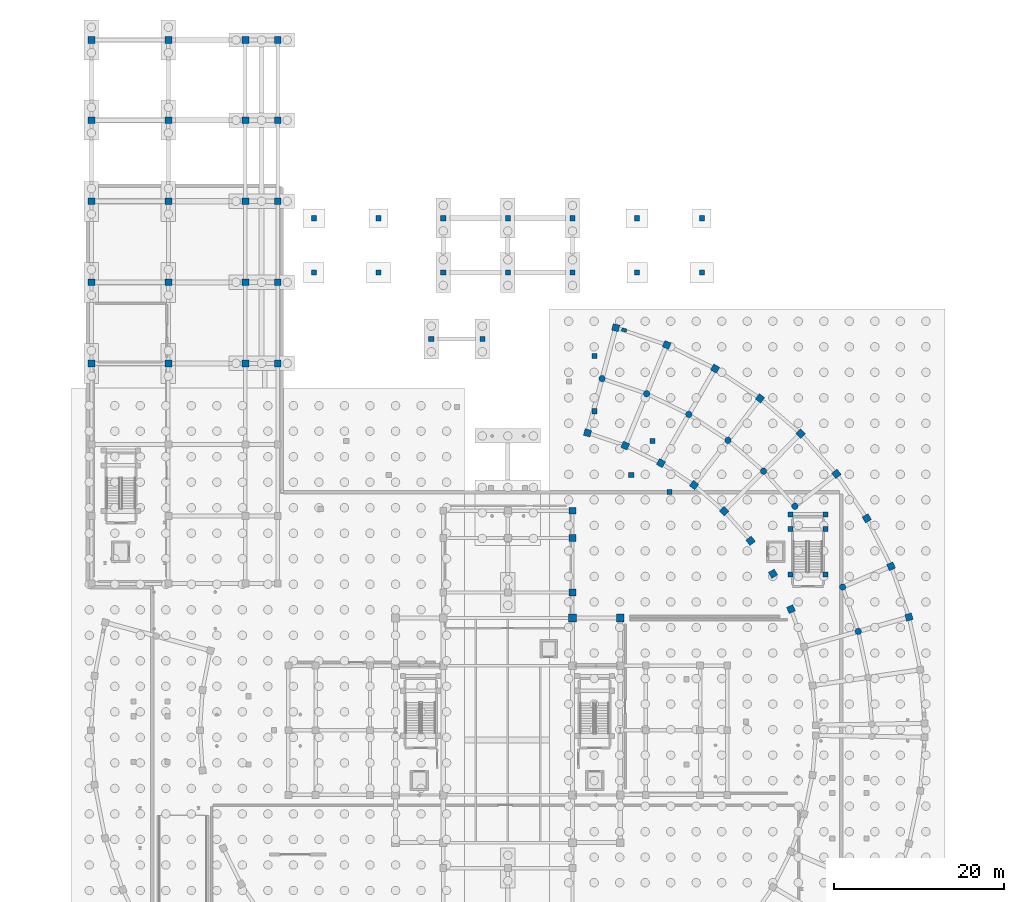
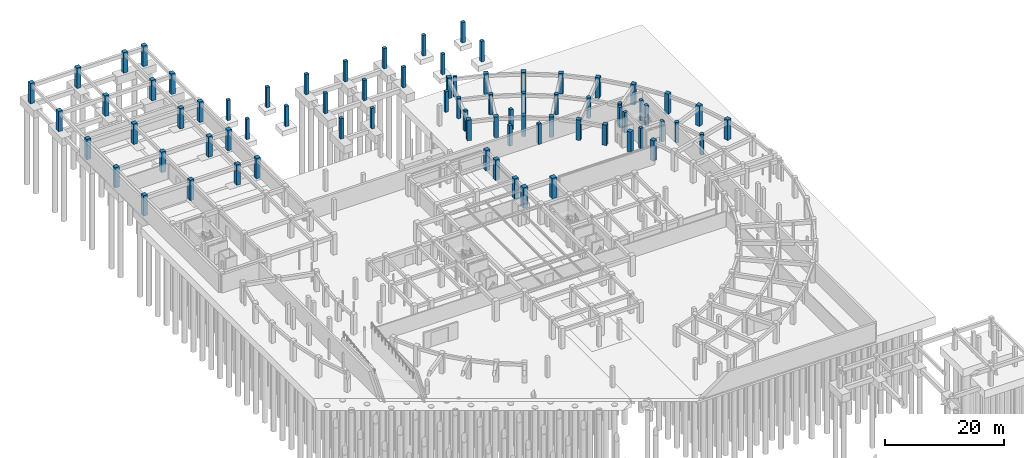
# One storey, part 17 of 33: 78 columns.
"""IFC4 building model written with IfcOpenShell, lengths in metres."""

from ifc_helpers import new_model, si_unit, direction, frame, origin, origin_2d, place, context, subcontext, project, spatial, rectangle, circle, extrude, material, material_profile, profile_set, type_object, element, save


model = new_model("IFC4")

# Units and contexts
model_context = context("Model", 3, precision=1e-05, world=origin(), true_north=direction((0.0, 1.0)))
body_context = subcontext(model_context, "Body", "Model", "MODEL_VIEW")
ifc_project = project(units=[si_unit("LENGTHUNIT", "METRE"), si_unit("AREAUNIT", "SQUARE_METRE"), si_unit("VOLUMEUNIT", "CUBIC_METRE"), si_unit("PLANEANGLEUNIT", "RADIAN"), si_unit("MASSUNIT", "GRAM", prefix="KILO")], contexts=[model_context])

# Site, building, storey
site_placement = place(None, origin())
site = spatial("IfcSite", under=ifc_project, at=site_placement, CompositionType="ELEMENT")
building_placement = place(site_placement, origin())
building = spatial("IfcBuilding", under=site, at=building_placement, Name="Saryqyr Civic Hall", CompositionType="ELEMENT")
storey_placement = place(building_placement, frame((0.0, 0.0, -4.199951171875)))
storey = spatial("IfcBuildingStorey", under=building, at=storey_placement, Name="B1", CompositionType="ELEMENT", Elevation=-4.199951171875)

# Columns
ifc_material = material(Name="Concrete C40/50", Category="concrete")
ifc_material_profile_1 = material_profile(ifc_material, rectangle(XDim=0.60009765625, YDim=0.60009765625, at=origin_2d()), Name="RC 600x600")
ifc_profile_set_1 = profile_set([ifc_material_profile_1], Name="Concrete C40/50")
column_type_1 = type_object("IfcColumnType", Name="STR-COL-RC600-C40", PredefinedType="COLUMN", material=ifc_profile_set_1)
for number, where, z_axis, x_axis, name in (
    (1, (34.199951171875, 137.800048828125, 0.0), (0.0, 0.0, 1.0), (1.0, 0.0, 0.0), "Column V6A-COL-11-B1"),
    (2, (34.199951171875, 144.199951171875, 0.0), (0.0, 0.0, 1.0), (1.0, 0.0, 0.0), "Column V6A-COL-21-B1"),
    (3, (41.800048828125, 137.800048828125, 0.0), (0.0, 0.0, 1.0), (1.0, 0.0, 0.0), "Column V6A-COL-12-B1"),
    (4, (41.800048828125, 144.199951171875, 0.0), (0.0, 0.0, 1.0), (1.0, 0.0, 0.0), "Column V6A-COL-22-B1"),
    (5, (49.39990234375, 137.800048828125, 0.0), (0.0, 0.0, 1.0), (1.0, 0.0, 0.0), "Column V6A-COL-13-B1"),
    (6, (49.39990234375, 144.199951171875, 0.0), (0.0, 0.0, 1.0), (1.0, 0.0, 0.0), "Column V6A-COL-23-B1"),
    (7, (57.0, 137.800048828125, 0.0), (0.0, 0.0, 1.0), (1.0, 0.0, 0.0), "Column V6A-COL-14-B1"),
    (8, (57.0, 144.199951171875, 0.0), (0.0, 0.0, 1.0), (1.0, 0.0, 0.0), "Column V6A-COL-24-B1"),
    (9, (64.60009765625, 137.800048828125, 0.0), (0.0, 0.0, 1.0), (1.0, 0.0, 0.0), "Column V6A-COL-15-B1"),
    (10, (64.60009765625, 144.199951171875, 0.0), (0.0, 0.0, 1.0), (1.0, 0.0, 0.0), "Column V6A-COL-25-B1"),
    (11, (72.199951171875, 137.800048828125, 0.0), (0.0, 0.0, 1.0), (1.0, 0.0, 0.0), "Column V6A-COL-16-B1"),
    (12, (72.199951171875, 144.199951171875, 0.0), (0.0, 0.0, 1.0), (1.0, 0.0, 0.0), "Column V6A-COL-26-B1"),
    (13, (79.800048828125, 137.800048828125, 0.0), (0.0, 0.0, 1.0), (1.0, 0.0, 0.0), "Column V6A-COL-17-B1"),
    (14, (79.800048828125, 144.199951171875, 0.0), (0.0, 0.0, 1.0), (1.0, 0.0, 0.0), "Column V6A-COL-27-B1"),
    (15, (94.340087890625, 102.3349609375, 0.0), (0.0, 0.0, 1.0), (1.0, 0.0, 0.0), "Column ST-6-SCOL-TRMA-B1"),
    (16, (90.219970703125, 102.3349609375, 0.0), (0.0, 0.0, 1.0), (1.0, 0.0, 0.0), "Column ST-6-SCOL-TRMB-B1"),
    (17, (94.340087890625, 107.64990234375, 0.0), (0.0, 0.0, 1.0), (1.0, 0.0, 0.0), "Column ST-6-SCOL-LND1A-B1"),
    (18, (90.219970703125, 107.64990234375, 0.0), (0.0, 0.0, 1.0), (1.0, 0.0, 0.0), "Column ST-6-SCOL-LND1B-B1"),
    (19, (94.340087890625, 109.3798828125, 0.0), (0.0, 0.0, 1.0), (1.0, 0.0, 0.0), "Column ST-6-SCOL-LND2A-B1"),
    (20, (90.219970703125, 109.3798828125, 0.0), (0.0, 0.0, 1.0), (1.0, 0.0, 0.0), "Column ST-6-SCOL-LND2B-B1"),
    (21, (48.0, 130.0, 0.0), (0.0, 0.0, 1.0), (1.0, 0.0, 0.0), "Column V2-XCOL-19-B1"),
    (22, (54.0, 130.0, 0.0), (0.0, 0.0, 1.0), (1.0, 0.0, 0.0), "Column V2-XCOL-20-B1"),
    (23, (71.5, 114.0, 0.0), (0.0, 0.0, 1.0), (1.0, 0.0, 0.0), "Column V2-XCOL-22-B1"),
    (24, (76.0, 112.0, 0.0), (0.0, 0.0, 1.0), (1.0, 0.0, 0.0), "Column V2-XCOL-23-B1"),
    (25, (74.0, 118.0, 0.0), (0.0, 0.0, 1.0), (1.0, 0.0, 0.0), "Column V2-XCOL-24-B1"),
    (26, (67.199951171875, 128.0, 0.0), (0.0, 0.0, 1.0), (1.0, 0.0, 0.0), "Column V2-XCOL-28-B1"),
    (27, (67.199951171875, 121.5, 0.0), (0.0, 0.0, 1.0), (1.0, 0.0, 0.0), "Column V2-XCOL-29-B1"),
):
    element("IfcColumn", number, at=place(storey_placement, frame(where, z_axis=z_axis, x_axis=x_axis)), inside=storey, type_object=column_type_1, Name=name, PredefinedType="COLUMN", context=body_context, shape_type="SweptSolid", body=[
        extrude(rectangle(XDim=0.60009765625, YDim=0.60009765625, at=origin_2d()), origin(), (0.0, 0.0, 1.0), 4.199951171875),
    ])
ifc_material_profile_2 = material_profile(ifc_material, rectangle(XDim=0.800048828125, YDim=0.800048828125, at=origin_2d()), Name="RC 800x800")
ifc_profile_set_2 = profile_set([ifc_material_profile_2], Name="Concrete C40/50")
column_type_2 = type_object("IfcColumnType", Name="STR-COL-RC800-C40", PredefinedType="COLUMN", material=ifc_profile_set_2)
for number, where, z_axis, x_axis, name in (
    (28, (64.60009765625, 100.199951171875, 0.0), (0.0, 0.0, 1.0), (1.0, 0.0, 0.0), "Column V1-COL-S3P12-B1"),
    (29, (64.60009765625, 106.60009765625, 0.0), (0.0, 0.0, 1.0), (1.0, 0.0, 0.0), "Column V1-COL-S1P12-B1"),
    (30, (64.60009765625, 109.800048828125, 0.0), (0.0, 0.0, 1.0), (1.0, 0.0, 0.0), "Column V1-COL-S0P12-B1"),
    (31, (104.157958984375, 97.308837890625, 0.0), (0.0, 0.0, 1.0), (0.962407846499, 0.271608425858, 0.0), "Column V6-COL-OUT02-B1"),
    (32, (90.281494140625, 98.240478515625, 0.0), (0.0, 0.0, 1.0), (0.919410138581, 0.393300136124, 0.0), "Column V6-COL-IN03-B1"),
    (33, (102.04931640625, 103.275634765625, 0.0), (0.0, 0.0, 1.0), (0.919410138581, 0.393300136124, 0.0), "Column V6-COL-OUT03-B1"),
    (34, (88.16845703125, 102.410888671875, 0.0), (0.0, 0.0, 1.0), (0.861008442465, 0.508590662521, 0.0), "Column V6-COL-IN04-B1"),
    (35, (99.189453125, 108.9208984375, 0.0), (0.0, 0.0, 1.0), (0.861008442465, 0.508590662521, 0.0), "Column V6-COL-OUT04-B1"),
    (36, (85.53564453125, 106.2744140625, 0.0), (0.0, 0.0, 1.0), (0.78822561199, 0.615386370179, 0.0), "Column V6-COL-IN05-B1"),
    (37, (95.625732421875, 114.150634765625, 0.0), (0.0, 0.0, 1.0), (0.78822561199, 0.615386370179, 0.0), "Column V6-COL-OUT05-B1"),
    (38, (82.427001953125, 109.7666015625, 0.0), (0.0, 0.0, 1.0), (0.70240155419, 0.711780904964, 0.0), "Column V6-COL-IN06-B1"),
    (39, (91.417724609375, 118.877197265625, 0.0), (0.0, 0.0, 1.0), (0.70240155419, 0.711780904964, 0.0), "Column V6-COL-OUT06-B1"),
    (40, (78.89404296875, 112.82861328125, 0.0), (0.0, 0.0, 1.0), (0.60473812635, 0.796424383441, 0.0), "Column V6-COL-IN07-B1"),
    (41, (86.635498046875, 123.022216796875, 0.0), (0.0, 0.0, 1.0), (0.60473812635, 0.796424383441, 0.0), "Column V6-COL-OUT07-B1"),
    (42, (74.995849609375, 115.409912109375, 0.0), (0.0, 0.0, 1.0), (0.4971254071, 0.867678701833, 0.0), "Column V6-COL-IN08-B1"),
    (43, (81.359130859375, 126.516357421875, 0.0), (0.0, 0.0, 1.0), (0.4971254071, 0.867678701833, 0.0), "Column V6-COL-OUT08-B1"),
    (44, (70.797607421875, 117.46728515625, 0.0), (0.0, 0.0, 1.0), (0.381231734269, 0.924479510204, 0.0), "Column V6-COL-IN09-B1"),
    (45, (75.676513671875, 129.301025390625, 0.0), (0.0, 0.0, 1.0), (0.381231734269, 0.924479510204, 0.0), "Column V6-COL-OUT09-B1"),
    (46, (66.369140625, 118.966552734375, 0.0), (0.0, 0.0, 1.0), (0.258819045103, 0.965925826289, 0.0), "Column V6-COL-IN10-B1"),
    (47, (69.68212890625, 131.330322265625, 0.0), (0.0, 0.0, 1.0), (0.258819045103, 0.965925826289, 0.0), "Column V6-COL-OUT10-B1"),
    (48, (8.050048828125, 127.1298828125, 0.0), (0.0, 0.0, 1.0), (1.0, 0.0, 0.0), "Column V3-COL-14-B1"),
    (49, (8.050048828125, 136.659912109375, 0.0), (0.0, 0.0, 1.0), (1.0, 0.0, 0.0), "Column V3-COL-15-B1"),
    (50, (8.050048828125, 146.18994140625, 0.0), (0.0, 0.0, 1.0), (1.0, 0.0, 0.0), "Column V3-COL-16-B1"),
    (51, (8.050048828125, 155.719970703125, 0.0), (0.0, 0.0, 1.0), (1.0, 0.0, 0.0), "Column V3-COL-17-B1"),
    (52, (8.050048828125, 165.14990234375, 0.0), (0.0, 0.0, 1.0), (1.0, 0.0, 0.0), "Column V3-COL-18-B1"),
    (53, (17.10009765625, 127.1298828125, 0.0), (0.0, 0.0, 1.0), (1.0, 0.0, 0.0), "Column V3-COL-24-B1"),
    (54, (17.10009765625, 136.659912109375, 0.0), (0.0, 0.0, 1.0), (1.0, 0.0, 0.0), "Column V3-COL-25-B1"),
    (55, (17.10009765625, 146.18994140625, 0.0), (0.0, 0.0, 1.0), (1.0, 0.0, 0.0), "Column V3-COL-26-B1"),
    (56, (17.10009765625, 155.719970703125, 0.0), (0.0, 0.0, 1.0), (1.0, 0.0, 0.0), "Column V3-COL-27-B1"),
    (57, (17.10009765625, 165.14990234375, 0.0), (0.0, 0.0, 1.0), (1.0, 0.0, 0.0), "Column V3-COL-28-B1"),
    (58, (26.14990234375, 127.1298828125, 0.0), (0.0, 0.0, 1.0), (1.0, 0.0, 0.0), "Column V3-COL-34-B1"),
    (59, (26.14990234375, 136.659912109375, 0.0), (0.0, 0.0, 1.0), (1.0, 0.0, 0.0), "Column V3-COL-35-B1"),
    (60, (26.14990234375, 146.18994140625, 0.0), (0.0, 0.0, 1.0), (1.0, 0.0, 0.0), "Column V3-COL-36-B1"),
    (61, (26.14990234375, 155.719970703125, 0.0), (0.0, 0.0, 1.0), (1.0, 0.0, 0.0), "Column V3-COL-37-B1"),
    (62, (26.14990234375, 165.14990234375, 0.0), (0.0, 0.0, 1.0), (1.0, 0.0, 0.0), "Column V3-COL-38-B1"),
    (63, (29.949951171875, 127.1298828125, 0.0), (0.0, 0.0, 1.0), (1.0, 0.0, 0.0), "Column V3-COL-44-B1"),
    (64, (29.949951171875, 136.659912109375, 0.0), (0.0, 0.0, 1.0), (1.0, 0.0, 0.0), "Column V3-COL-45-B1"),
    (65, (29.949951171875, 146.18994140625, 0.0), (0.0, 0.0, 1.0), (1.0, 0.0, 0.0), "Column V3-COL-46-B1"),
    (66, (29.949951171875, 155.719970703125, 0.0), (0.0, 0.0, 1.0), (1.0, 0.0, 0.0), "Column V3-COL-47-B1"),
    (67, (29.949951171875, 165.14990234375, 0.0), (0.0, 0.0, 1.0), (1.0, 0.0, 0.0), "Column V3-COL-48-B1"),
):
    element("IfcColumn", number, at=place(storey_placement, frame(where, z_axis=z_axis, x_axis=x_axis)), inside=storey, type_object=column_type_2, Name=name, PredefinedType="COLUMN", context=body_context, shape_type="SweptSolid", body=[
        extrude(rectangle(XDim=0.800048828125, YDim=0.800048828125, at=origin_2d()), origin(), (0.0, 0.0, 1.0), 4.199951171875),
    ])
ifc_material_profile_3 = material_profile(ifc_material, rectangle(XDim=0.89990234375, YDim=0.89990234375, at=origin_2d()), Name="RC 900x900")
ifc_profile_set_3 = profile_set([ifc_material_profile_3], Name="Concrete C40/50")
column_type_3 = type_object("IfcColumnType", Name="STR-COL-RC900-C40", PredefinedType="COLUMN", material=ifc_profile_set_3)
for number, where, z_axis, x_axis, name in (
    (68, (64.60009765625, 97.199951171875, 0.0), (0.0, 0.0, 1.0), (1.0, 0.0, 0.0), "Column V1-COL-C34-B1"),
    (69, (70.199951171875, 97.199951171875, 0.0), (0.0, 0.0, 1.0), (1.0, 0.0, 0.0), "Column V1-COL-C44-B1"),
):
    element("IfcColumn", number, at=place(storey_placement, frame(where, z_axis=z_axis, x_axis=x_axis)), inside=storey, type_object=column_type_3, Name=name, PredefinedType="COLUMN", context=body_context, shape_type="SweptSolid", body=[
        extrude(rectangle(XDim=0.89990234375, YDim=0.89990234375, at=origin_2d()), origin(), (0.0, 0.0, 1.0), 4.199951171875),
    ])
ifc_material_profile_4 = material_profile(ifc_material, circle(Radius=0.375, at=origin_2d()), Name="RC D750")
ifc_profile_set_4 = profile_set([ifc_material_profile_4], Name="Concrete C40/50")
column_type_4 = type_object("IfcColumnType", Name="STR-COL-RCD750-INT", PredefinedType="COLUMN", material=ifc_profile_set_4)
for number, where, z_axis, x_axis, name in (
    (70, (98.191162109375, 95.624755859375, 0.0), (0.0, 0.0, 1.0), (0.962407846499, 0.271608425858, 0.0), "Column V6-COL-MID02-B1"),
    (71, (96.349365234375, 100.836669921875, 0.0), (0.0, 0.0, 1.0), (0.919410138581, 0.393300136124, 0.0), "Column V6-COL-MID03-B1"),
    (72, (90.73828125, 110.335693359375, 0.0), (0.0, 0.0, 1.0), (0.78822561199, 0.615386370179, 0.0), "Column V6-COL-MID05-B1"),
    (73, (87.062744140625, 114.464111328125, 0.0), (0.0, 0.0, 1.0), (0.70240155419, 0.711780904964, 0.0), "Column V6-COL-MID06-B1"),
    (74, (82.8857421875, 118.084716796875, 0.0), (0.0, 0.0, 1.0), (0.60473812635, 0.796424383441, 0.0), "Column V6-COL-MID07-B1"),
    (75, (78.277099609375, 121.13671875, 0.0), (0.0, 0.0, 1.0), (0.4971254071, 0.867678701833, 0.0), "Column V6-COL-MID08-B1"),
    (76, (73.313232421875, 123.569091796875, 0.0), (0.0, 0.0, 1.0), (0.381231734269, 0.924479510204, 0.0), "Column V6-COL-MID09-B1"),
    (77, (68.077392578125, 125.341552734375, 0.0), (0.0, 0.0, 1.0), (0.258819045103, 0.965925826289, 0.0), "Column V6-COL-MID10-B1"),
):
    element("IfcColumn", number, at=place(storey_placement, frame(where, z_axis=z_axis, x_axis=x_axis)), inside=storey, type_object=column_type_4, Name=name, PredefinedType="COLUMN", context=body_context, shape_type="SweptSolid", body=[
        extrude(circle(Radius=0.375, at=origin_2d()), origin(), (0.0, 0.0, 1.0), 4.199951171875),
    ])
ifc_material_profile_5 = material_profile(ifc_material, rectangle(XDim=0.39990234375, YDim=0.60009765625, at=origin_2d()), Name="RC 400x600")
ifc_profile_set_5 = profile_set([ifc_material_profile_5], Name="Concrete C40/50")
column_type_5 = type_object("IfcColumnType", Name="STR-PIL-RC400x600-EXT", PredefinedType="PILASTER", material=ifc_profile_set_5)
column_placement = place(storey_placement, frame((70.670654296875, 131.054443359375, 0.0), z_axis=(0.0, 0.0, 1.0), x_axis=(0.258819045103, 0.965925826289, 0.0)))
element("IfcColumn", 78, at=column_placement, inside=storey, type_object=column_type_5, Name="Column V6-PIL-10-B1", PredefinedType="PILASTER", context=body_context, shape_type="SweptSolid", body=[
    extrude(rectangle(XDim=0.39990234375, YDim=0.60009765625, at=origin_2d()), origin(), (0.0, 0.0, 1.0), 4.199951171875),
])

save(model, "model.ifc")
